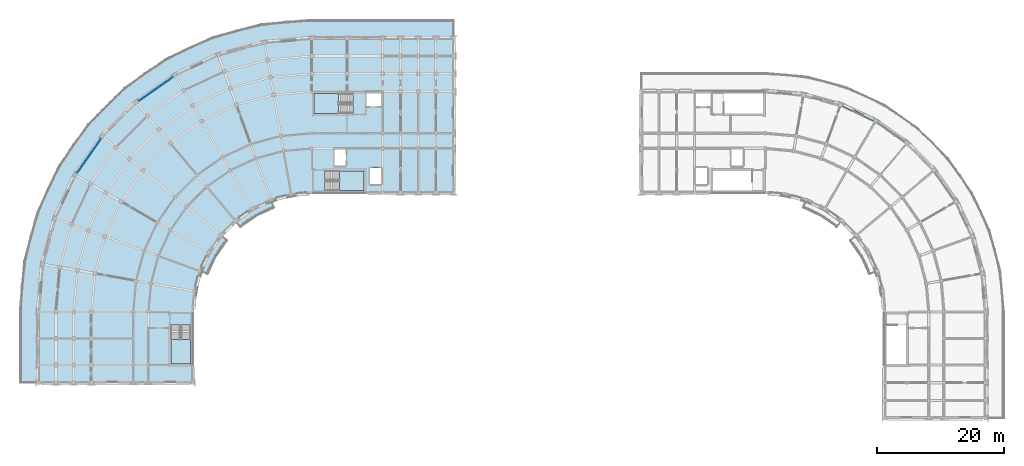
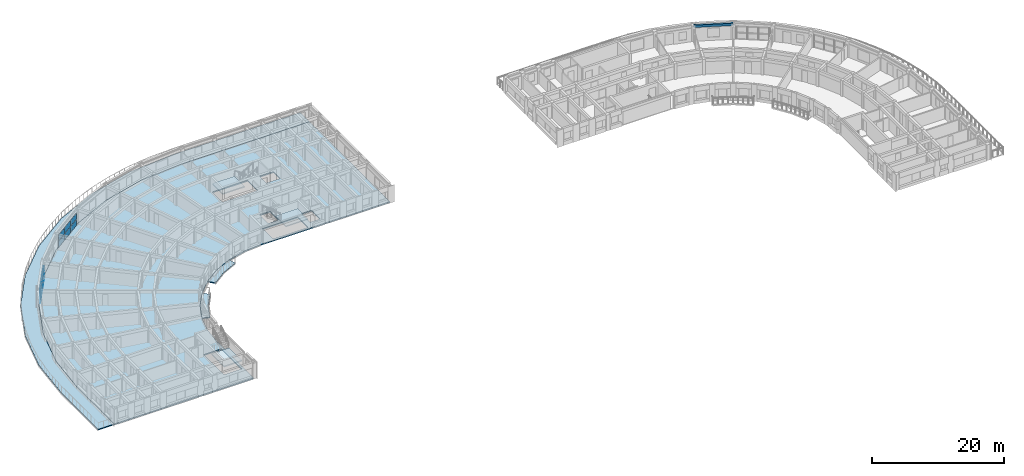
# One storey, part 9 of 32: 12 plates, 7 slabs, 1 beam, 5 elements without a shape of their own.
"""IFC4 building model written with IfcOpenShell, lengths in metres."""

from ifc_helpers import new_model, si_unit, direction, frame, origin, origin_2d, place, context, subcontext, project, spatial, polyline, rectangle, outline, extrude, material, layer, layer_set, material_profile, profile_set, type_object, element, aggregate, save


model = new_model("IFC4")

# Units and contexts
model_context = context("Model", 3, precision=1e-05, world=origin(), true_north=direction((0.0, 1.0)))
body_context = subcontext(model_context, "Body", "Model", "MODEL_VIEW")
ifc_project = project(units=[si_unit("LENGTHUNIT", "METRE"), si_unit("AREAUNIT", "SQUARE_METRE"), si_unit("VOLUMEUNIT", "CUBIC_METRE"), si_unit("PLANEANGLEUNIT", "RADIAN"), si_unit("MASSUNIT", "GRAM", prefix="KILO")], contexts=[model_context])

# Site, building, storey
site_placement = place(None, origin())
site = spatial("IfcSite", under=ifc_project, at=site_placement, CompositionType="ELEMENT")
building_placement = place(site_placement, origin())
building = spatial("IfcBuilding", under=site, at=building_placement, Name="Kiranvali Square Residences", CompositionType="ELEMENT")
storey_placement = place(building_placement, frame((0.0, 0.0, 40.199951171875)))
storey = spatial("IfcBuildingStorey", under=building, at=storey_placement, Name="L12", CompositionType="ELEMENT", Elevation=40.199951171875)

# Beam
ifc_material_1 = material(Name="Concrete M40 (40 MPa)", Category="concrete")
ifc_material_profile = material_profile(ifc_material_1, rectangle(XDim=0.300048828125, YDim=0.449951171875, at=origin_2d()), Name="RC 300x450")
ifc_profile_set = profile_set([ifc_material_profile], Name="Concrete M40 (40 MPa)")
beam_type = type_object("IfcBeamType", Name="SPN-M40-300x450", PredefinedType="SPANDREL", material=ifc_profile_set)
beam_placement = place(storey_placement, frame((131.702392578125, 120.501220703125, 2.68505859375), z_axis=(0.906312656069, -0.42260781991, 0.0), x_axis=(0.42260781991, 0.906312656069, 0.0)))
element("IfcBeam", 1, at=beam_placement, inside=storey, type_object=beam_type, Name="L12 beam BM-B-L12-C02-R3", PredefinedType="SPANDREL", context=body_context, shape_type="SweptSolid", body=[
    extrude(rectangle(XDim=0.300048828125, YDim=0.449951171875, at=origin_2d()), origin(), (0.0, 0.0, 1.0), 6.06591796875),
])

# Curtain wall, plates
ifc_material_2 = material(Name="Anodised bronze aluminium framing", Category="aluminium")
curtain_wall_type = type_object("IfcCurtainWallType", Name="CW-RES-LOG", PredefinedType="USERDEFINED", material=ifc_material_2)
curtain_wall_1_placement = place(storey_placement, origin())
curtain_wall_1 = element("IfcCurtainWall", 2, at=curtain_wall_1_placement, inside=storey, type_object=curtain_wall_type, Name="Block A L12 stepped curved terrace loggia 4", ObjectType="CURTAIN WALL", PredefinedType="USERDEFINED")
ifc_material_3 = material(Name="Solar-control low-e double glazing", Category="glass")
ifc_layer_1 = layer(ifc_material_3, 0.028076171875)
ifc_layer_set_1 = layer_set([ifc_layer_1], Name="Solar-control low-e double glazing")
plate_type = type_object("IfcPlateType", Name="PLT-CW-GLZ", PredefinedType="CURTAIN_PANEL", material=ifc_layer_set_1)
plate_1_placement = place(storey_placement, frame((25.3623046875, 124.19921875, 0.080078125), z_axis=(0.0, 0.0, 1.0), x_axis=(-0.819152044289, -0.573576436351, 0.0)))
plate_1 = element("IfcPlate", 3, at=plate_1_placement, type_object=plate_type, Name="CW-A-L12-TER-03 glazed panel 1.1", PredefinedType="CURTAIN_PANEL", context=body_context, shape_type="SweptSolid", body=[
    extrude(rectangle(XDim=2.090087890625, YDim=0.028076171875, at=origin_2d()), origin(), (0.0, 0.0, 1.0), 1.1201171875),
])
plate_2_placement = place(storey_placement, frame((25.3623046875, 124.19921875, 1.280029296875), z_axis=(0.0, 0.0, 1.0), x_axis=(-0.819152044289, -0.573576436351, 0.0)))
plate_2 = element("IfcPlate", 4, at=plate_2_placement, type_object=plate_type, Name="CW-A-L12-TER-03 glazed panel 1.2", PredefinedType="CURTAIN_PANEL", context=body_context, shape_type="SweptSolid", body=[
    extrude(rectangle(XDim=2.090087890625, YDim=0.028076171875, at=origin_2d()), origin(), (0.0, 0.0, 1.0), 1.1201171875),
])
plate_3_placement = place(storey_placement, frame((23.584716796875, 122.954345703125, 0.080078125), z_axis=(0.0, 0.0, 1.0), x_axis=(-0.819152044289, -0.573576436351, 0.0)))
plate_3 = element("IfcPlate", 5, at=plate_3_placement, type_object=plate_type, Name="CW-A-L12-TER-03 glazed panel 2.1", PredefinedType="CURTAIN_PANEL", context=body_context, shape_type="SweptSolid", body=[
    extrude(rectangle(XDim=2.090087890625, YDim=0.028076171875, at=origin_2d()), origin(), (0.0, 0.0, 1.0), 1.1201171875),
])
plate_4_placement = place(storey_placement, frame((23.584716796875, 122.954345703125, 1.280029296875), z_axis=(0.0, 0.0, 1.0), x_axis=(-0.819152044289, -0.573576436351, 0.0)))
plate_4 = element("IfcPlate", 6, at=plate_4_placement, type_object=plate_type, Name="CW-A-L12-TER-03 glazed panel 2.2", PredefinedType="CURTAIN_PANEL", context=body_context, shape_type="SweptSolid", body=[
    extrude(rectangle(XDim=2.090087890625, YDim=0.028076171875, at=origin_2d()), origin(), (0.0, 0.0, 1.0), 1.1201171875),
])
plate_5_placement = place(storey_placement, frame((21.806884765625, 121.709716796875, 0.080078125), z_axis=(0.0, 0.0, 1.0), x_axis=(-0.819152044289, -0.573576436351, 0.0)))
plate_5 = element("IfcPlate", 7, at=plate_5_placement, type_object=plate_type, Name="CW-A-L12-TER-03 glazed panel 3.1", PredefinedType="CURTAIN_PANEL", context=body_context, shape_type="SweptSolid", body=[
    extrude(rectangle(XDim=2.090087890625, YDim=0.028076171875, at=origin_2d()), origin(), (0.0, 0.0, 1.0), 1.1201171875),
])
plate_6_placement = place(storey_placement, frame((21.806884765625, 121.709716796875, 1.280029296875), z_axis=(0.0, 0.0, 1.0), x_axis=(-0.819152044289, -0.573576436351, 0.0)))
plate_6 = element("IfcPlate", 8, at=plate_6_placement, type_object=plate_type, Name="CW-A-L12-TER-03 glazed panel 3.2", PredefinedType="CURTAIN_PANEL", context=body_context, shape_type="SweptSolid", body=[
    extrude(rectangle(XDim=2.090087890625, YDim=0.028076171875, at=origin_2d()), origin(), (0.0, 0.0, 1.0), 1.1201171875),
])
aggregate(curtain_wall_1, [plate_1, plate_2, plate_3, plate_4, plate_5, plate_6])

curtain_wall_2_placement = place(storey_placement, origin())
curtain_wall_2 = element("IfcCurtainWall", 9, at=curtain_wall_2_placement, inside=storey, type_object=curtain_wall_type, Name="Block A L12 stepped curved terrace loggia 6", ObjectType="CURTAIN WALL", PredefinedType="USERDEFINED")
plate_7_placement = place(storey_placement, frame((14.290283203125, 114.193115234375, 0.080078125), z_axis=(0.0, 0.0, 1.0), x_axis=(-0.573576436351, -0.819152044289, 0.0)))
plate_7 = element("IfcPlate", 10, at=plate_7_placement, type_object=plate_type, Name="CW-A-L12-TER-05 glazed panel 1.1", PredefinedType="CURTAIN_PANEL", context=body_context, shape_type="SweptSolid", body=[
    extrude(rectangle(XDim=2.090087890625, YDim=0.028076171875, at=origin_2d()), origin(), (0.0, 0.0, 1.0), 1.1201171875),
])
plate_8_placement = place(storey_placement, frame((14.290283203125, 114.193115234375, 1.280029296875), z_axis=(0.0, 0.0, 1.0), x_axis=(-0.573576436351, -0.819152044289, 0.0)))
plate_8 = element("IfcPlate", 11, at=plate_8_placement, type_object=plate_type, Name="CW-A-L12-TER-05 glazed panel 1.2", PredefinedType="CURTAIN_PANEL", context=body_context, shape_type="SweptSolid", body=[
    extrude(rectangle(XDim=2.090087890625, YDim=0.028076171875, at=origin_2d()), origin(), (0.0, 0.0, 1.0), 1.1201171875),
])
plate_9_placement = place(storey_placement, frame((13.045654296875, 112.415283203125, 0.080078125), z_axis=(0.0, 0.0, 1.0), x_axis=(-0.573576436351, -0.819152044289, 0.0)))
plate_9 = element("IfcPlate", 12, at=plate_9_placement, type_object=plate_type, Name="CW-A-L12-TER-05 glazed panel 2.1", PredefinedType="CURTAIN_PANEL", context=body_context, shape_type="SweptSolid", body=[
    extrude(rectangle(XDim=2.090087890625, YDim=0.028076171875, at=origin_2d()), origin(), (0.0, 0.0, 1.0), 1.1201171875),
])
plate_10_placement = place(storey_placement, frame((13.045654296875, 112.415283203125, 1.280029296875), z_axis=(0.0, 0.0, 1.0), x_axis=(-0.573576436351, -0.819152044289, 0.0)))
plate_10 = element("IfcPlate", 13, at=plate_10_placement, type_object=plate_type, Name="CW-A-L12-TER-05 glazed panel 2.2", PredefinedType="CURTAIN_PANEL", context=body_context, shape_type="SweptSolid", body=[
    extrude(rectangle(XDim=2.090087890625, YDim=0.028076171875, at=origin_2d()), origin(), (0.0, 0.0, 1.0), 1.1201171875),
])
plate_11_placement = place(storey_placement, frame((11.80078125, 110.6376953125, 0.080078125), z_axis=(0.0, 0.0, 1.0), x_axis=(-0.573576436351, -0.819152044289, 0.0)))
plate_11 = element("IfcPlate", 14, at=plate_11_placement, type_object=plate_type, Name="CW-A-L12-TER-05 glazed panel 3.1", PredefinedType="CURTAIN_PANEL", context=body_context, shape_type="SweptSolid", body=[
    extrude(rectangle(XDim=2.090087890625, YDim=0.028076171875, at=origin_2d()), origin(), (0.0, 0.0, 1.0), 1.1201171875),
])
plate_12_placement = place(storey_placement, frame((11.80078125, 110.6376953125, 1.280029296875), z_axis=(0.0, 0.0, 1.0), x_axis=(-0.573576436351, -0.819152044289, 0.0)))
plate_12 = element("IfcPlate", 15, at=plate_12_placement, type_object=plate_type, Name="CW-A-L12-TER-05 glazed panel 3.2", PredefinedType="CURTAIN_PANEL", context=body_context, shape_type="SweptSolid", body=[
    extrude(rectangle(XDim=2.090087890625, YDim=0.028076171875, at=origin_2d()), origin(), (0.0, 0.0, 1.0), 1.1201171875),
])
aggregate(curtain_wall_2, [plate_7, plate_8, plate_9, plate_10, plate_11, plate_12])

# Slabs
ifc_material_4 = material(Name="Concrete M35 (35 MPa)", Category="concrete")
ifc_layer_2 = layer(ifc_material_4, 0.2099609375)
ifc_layer_set_2 = layer_set([ifc_layer_2], Name="Concrete M35 (35 MPa)")
slab_type_1 = type_object("IfcSlabType", Name="SLB-FLR-210", PredefinedType="FLOOR", material=ifc_layer_set_2)
slab_1_placement = place(storey_placement, frame((0.0, 0.0, -0.2099609375)))
element("IfcSlab", 16, at=slab_1_placement, inside=storey, type_object=slab_type_1, Name="Block A L12 structural floor slab", PredefinedType="FLOOR", context=body_context, shape_type="SweptSolid", body=[
    extrude(outline(polyline([(70.60009765625, 106.60009765625), (70.60009765625, 131.0), (48.199951171875, 131.0), (40.698486328125, 130.34375), (33.4248046875, 128.394775390625), (26.60009765625, 125.21240234375), (20.431640625, 120.89306640625), (15.10693359375, 115.568359375), (10.78759765625, 109.39990234375), (7.605224609375, 102.5751953125), (5.65625, 95.301513671875), (5.0, 87.800048828125), (5.0, 76.60009765625), (29.39990234375, 76.60009765625), (29.39990234375, 87.800048828125), (29.685546875, 91.064697265625), (30.53369140625, 94.22998046875), (31.918701171875, 97.199951171875), (33.79833984375, 99.884521484375), (36.115478515625, 102.20166015625), (38.800048828125, 104.081298828125), (41.77001953125, 105.46630859375), (44.935302734375, 106.314453125), (48.199951171875, 106.60009765625), (70.60009765625, 106.60009765625)]), holes=[polyline([(56.800048828125, 120.25), (59.25, 120.25), (59.25, 122.25), (56.800048828125, 122.25), (56.800048828125, 120.25)]), polyline([(57.35009765625, 107.949951171875), (59.14990234375, 107.949951171875), (59.14990234375, 110.550048828125), (57.35009765625, 110.550048828125), (57.35009765625, 107.949951171875)]), polyline([(51.75, 110.85009765625), (53.550048828125, 110.85009765625), (53.550048828125, 113.449951171875), (51.75, 113.449951171875), (51.75, 110.85009765625)]), polyline([(54.699951171875, 122.25), (48.550048828125, 122.25), (48.550048828125, 119.14990234375), (54.699951171875, 119.14990234375), (54.699951171875, 122.25)]), polyline([(50.300048828125, 106.949951171875), (56.449951171875, 106.949951171875), (56.449951171875, 110.050048828125), (50.300048828125, 110.050048828125), (50.300048828125, 106.949951171875)]), polyline([(25.949951171875, 85.699951171875), (25.949951171875, 79.550048828125), (29.050048828125, 79.550048828125), (29.050048828125, 85.699951171875), (25.949951171875, 85.699951171875)])]), origin(), (0.0, 0.0, 1.0), 0.2099609375),
])
ifc_layer_3 = layer(ifc_material_4, 0.169921875)
ifc_layer_set_3 = layer_set([ifc_layer_3], Name="Concrete M35 (35 MPa)")
slab_type_2 = type_object("IfcSlabType", Name="SLB-GBAL-170", PredefinedType="FLOOR", material=ifc_layer_set_3)
slab_2_placement = place(storey_placement, frame((0.0, 0.0, -0.179931640625)))
element("IfcSlab", 17, at=slab_2_placement, inside=storey, type_object=slab_type_2, Name="Block A L12 garden balcony slab 1", PredefinedType="FLOOR", context=body_context, shape_type="SweptSolid", body=[
    extrude(outline(polyline([(41.77001953125, 105.46630859375), (38.800048828125, 104.081298828125), (36.115478515625, 102.20166015625), (36.919189453125, 101.244140625), (39.425048828125, 102.998779296875), (42.197509765625, 104.29150390625), (41.77001953125, 105.46630859375)])), origin(), (0.0, 0.0, 1.0), 0.179931640625),
])
slab_3_placement = place(storey_placement, frame((0.0, 0.0, -0.179931640625)))
element("IfcSlab", 18, at=slab_3_placement, inside=storey, type_object=slab_type_2, Name="Block A L12 garden balcony slab 2", PredefinedType="FLOOR", context=body_context, shape_type="SweptSolid", body=[
    extrude(outline(polyline([(33.79833984375, 99.884521484375), (31.918701171875, 97.199951171875), (30.53369140625, 94.22998046875), (31.70849609375, 93.802490234375), (33.001220703125, 96.574951171875), (34.755859375, 99.080810546875), (33.79833984375, 99.884521484375)])), origin(), (0.0, 0.0, 1.0), 0.179931640625),
])

# Stair, slab
stair_type = type_object("IfcStairType", Name="ST-CORE-1700", PredefinedType="HALF_TURN_STAIR", material=ifc_material_4)
stair_1_placement = place(storey_placement, origin())
stair_1 = element("IfcStair", 19, at=stair_1_placement, inside=storey, type_object=stair_type, Name="L12 Block A Firefighting Exit Stair 1", PredefinedType="HALF_TURN_STAIR")
ifc_layer_4 = layer(ifc_material_4, 0.199951171875)
ifc_layer_set_4 = layer_set([ifc_layer_4], Name="Concrete M35 (35 MPa)")
slab_type_3 = type_object("IfcSlabType", Name="SLB-LND-200", PredefinedType="LANDING", material=ifc_layer_set_4)
slab_4_placement = place(storey_placement, frame((0.0, 0.0, 1.375)))
slab_4 = element("IfcSlab", 20, at=slab_4_placement, type_object=slab_type_3, Name="ST-A1 landing 1", PredefinedType="LANDING", context=body_context, shape_type="SweptSolid", body=[
    extrude(outline(polyline([(52.419921875, 122.25), (48.550048828125, 122.25), (48.550048828125, 119.14990234375), (52.419921875, 119.14990234375), (52.419921875, 122.25)])), origin(), (0.0, 0.0, 1.0), 0.199951171875),
])
aggregate(stair_1, [slab_4])

stair_2_placement = place(storey_placement, origin())
stair_2 = element("IfcStair", 21, at=stair_2_placement, inside=storey, type_object=stair_type, Name="L12 Block A Protected Exit Stair 2", PredefinedType="HALF_TURN_STAIR")
slab_5_placement = place(storey_placement, frame((0.0, 0.0, 1.375)))
slab_5 = element("IfcSlab", 22, at=slab_5_placement, type_object=slab_type_3, Name="ST-A2 landing 1", PredefinedType="LANDING", context=body_context, shape_type="SweptSolid", body=[
    extrude(outline(polyline([(52.580078125, 106.949951171875), (56.449951171875, 106.949951171875), (56.449951171875, 110.050048828125), (52.580078125, 110.050048828125), (52.580078125, 106.949951171875)])), origin(), (0.0, 0.0, 1.0), 0.199951171875),
])
aggregate(stair_2, [slab_5])

stair_3_placement = place(storey_placement, origin())
stair_3 = element("IfcStair", 23, at=stair_3_placement, inside=storey, type_object=stair_type, Name="L12 Block A Wing Protected Exit Stair 3", PredefinedType="HALF_TURN_STAIR")
slab_6_placement = place(storey_placement, frame((0.0, 0.0, 1.375)))
slab_6 = element("IfcSlab", 24, at=slab_6_placement, type_object=slab_type_3, Name="ST-A3 landing 1", PredefinedType="LANDING", context=body_context, shape_type="SweptSolid", body=[
    extrude(outline(polyline([(25.949951171875, 83.419921875), (25.949951171875, 79.550048828125), (29.050048828125, 79.550048828125), (29.050048828125, 83.419921875), (25.949951171875, 83.419921875)])), origin(), (0.0, 0.0, 1.0), 0.199951171875),
])
aggregate(stair_3, [slab_6])

# Slab
ifc_layer_5 = layer(ifc_material_4, 0.18994140625)
ifc_layer_set_5 = layer_set([ifc_layer_5], Name="Concrete M35 (35 MPa)")
slab_type_4 = type_object("IfcSlabType", Name="SLB-TER-190", PredefinedType="FLOOR", material=ifc_layer_set_5)
slab_7_placement = place(storey_placement, frame((0.0, 0.0, -0.179931640625)))
element("IfcSlab", 25, at=slab_7_placement, inside=storey, type_object=slab_type_4, Name="Block A L12 stepped curved corner balcony terrace slab", PredefinedType="FLOOR", context=body_context, shape_type="SweptSolid", body=[
    extrude(outline(polyline([(70.60009765625, 133.800048828125), (48.199951171875, 133.800048828125), (40.212158203125, 133.10107421875), (32.467041015625, 131.02587890625), (25.199951171875, 127.63720703125), (18.6318359375, 123.0380859375), (12.9619140625, 117.3681640625), (8.36279296875, 110.800048828125), (4.97412109375, 103.532958984375), (2.89892578125, 95.787841796875), (2.199951171875, 87.800048828125), (2.199951171875, 76.60009765625), (5.0, 76.60009765625), (5.0, 87.800048828125), (5.65625, 95.301513671875), (7.605224609375, 102.5751953125), (10.78759765625, 109.39990234375), (15.10693359375, 115.568359375), (20.431640625, 120.89306640625), (26.60009765625, 125.21240234375), (33.4248046875, 128.394775390625), (40.698486328125, 130.34375), (48.199951171875, 131.0), (70.60009765625, 131.0), (70.60009765625, 133.800048828125)])), origin(), (0.0, 0.0, 1.0), 0.179931640625),
])

save(model, "model.ifc")
